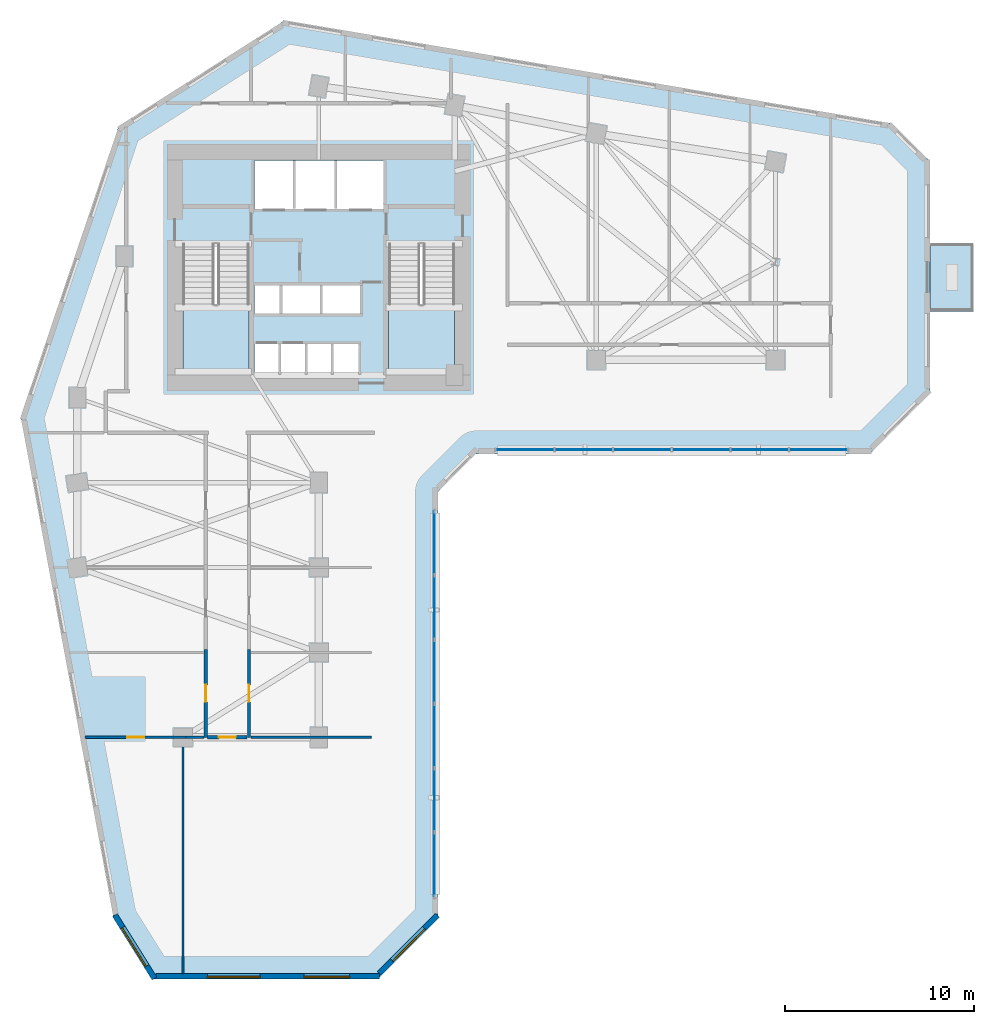
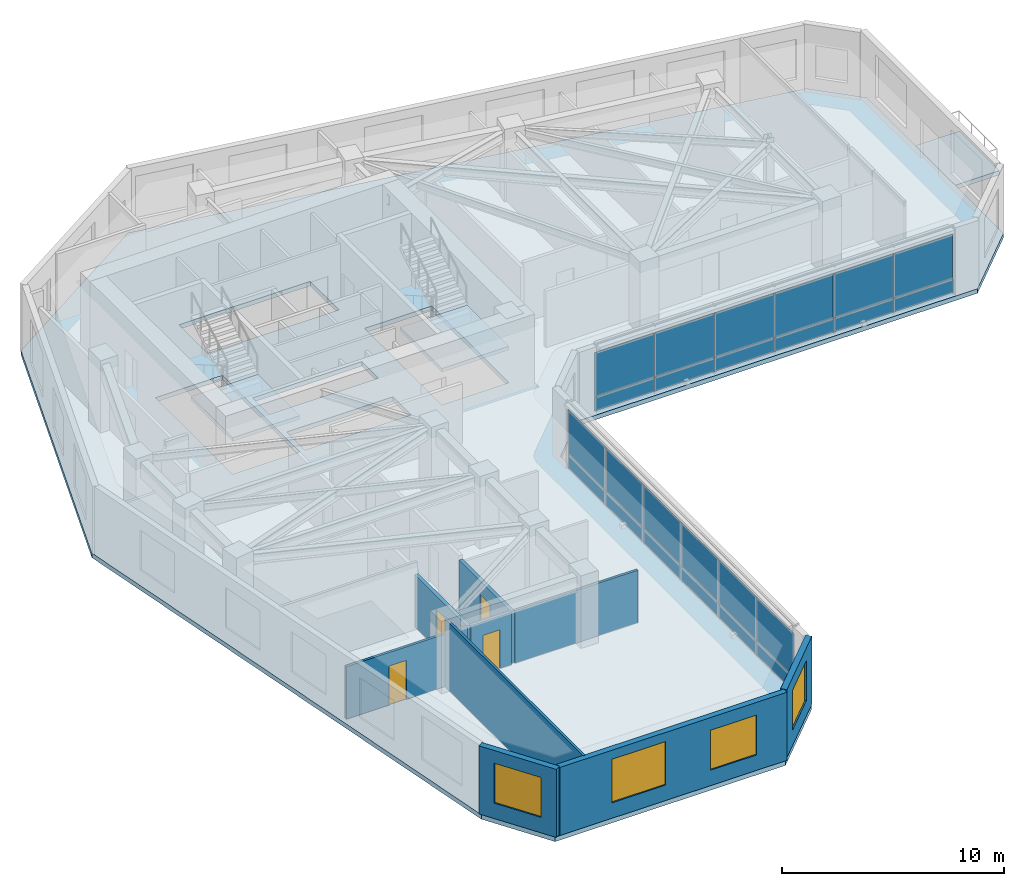
# One storey, part 4 of 11: 24 plates, 10 walls, 4 doors, 4 slabs, 4 windows, 8 openings, 4 elements without a shape of their own.
"""IFC4 building model written with IfcOpenShell, lengths in metres."""

from ifc_helpers import new_model, si_unit, direction, frame, frame_2d, origin, place, context, subcontext, project, spatial, polyline, rectangle, outline, extrude, source, transform, mapped, material, layer, layer_set, type_object, element, fill, aggregate, save


model = new_model("IFC4")

# Units and contexts
model_context = context("Model", 3, precision=1e-05, world=origin(), true_north=direction((0.0, 1.0)))
body_context = subcontext(model_context, "Body", "Model", "MODEL_VIEW")
ifc_project = project(units=[si_unit("LENGTHUNIT", "METRE"), si_unit("AREAUNIT", "SQUARE_METRE"), si_unit("VOLUMEUNIT", "CUBIC_METRE"), si_unit("PLANEANGLEUNIT", "RADIAN"), si_unit("MASSUNIT", "GRAM", prefix="KILO")], contexts=[model_context])

# Site, building, storey
site_placement = place(None, origin())
site = spatial("IfcSite", under=ifc_project, at=site_placement, CompositionType="ELEMENT")
building_placement = place(site_placement, origin())
building = spatial("IfcBuilding", under=site, at=building_placement, Name="Calvemar Wedge Station Tower", CompositionType="ELEMENT")
storey_placement = place(building_placement, frame((0.0, 0.0, 75.0)))
storey = spatial("IfcBuildingStorey", under=building, at=storey_placement, Name="L18", CompositionType="ELEMENT", Elevation=75.0)

# Curtain wall, plates
ifc_material_1 = material(Name="Anodised aluminium 6063-T6", Category="aluminium")
curtain_wall_type = type_object("IfcCurtainWallType", Name="CW1", PredefinedType="NOTDEFINED", material=ifc_material_1)
curtain_wall_1_placement = place(storey_placement, origin())
curtain_wall_1 = element("IfcCurtainWall", 1, at=curtain_wall_1_placement, inside=storey, type_object=curtain_wall_type, Name="Storey L18 CW1 Recessed Unitised Curtain Wall 4", PredefinedType="NOTDEFINED")
ifc_material_2 = material(Name="Low-E laminated insulated glass", Category="glass")
ifc_layer_1 = layer(ifc_material_2, 0.028076171875)
ifc_layer_set_1 = layer_set([ifc_layer_1], Name="Low-E laminated insulated glass")
plate_type_1 = type_object("IfcPlateType", Name="CW1-GLZ", PredefinedType="CURTAIN_PANEL", material=ifc_layer_set_1)
plate_1_placement = place(storey_placement, frame((29.91796875, 6.580078125, 0.8701171875), z_axis=(0.0, 0.0, 1.0), x_axis=(0.0, 1.0, 0.0)))
plate_1 = element("IfcPlate", 2, at=plate_1_placement, type_object=plate_type_1, Name="CW1 vision glass panel 1", PredefinedType="CURTAIN_PANEL", context=body_context, shape_type="SweptSolid", body=[
    extrude(rectangle(XDim=3.36865234375, YDim=0.028076171875, at=frame_2d((1.684326171875, 0.0))), origin(), (0.0, 0.0, 1.0), 2.409912109375),
])
plate_2_placement = place(storey_placement, frame((29.91796875, 9.98486328125, 0.8701171875), z_axis=(0.0, 0.0, 1.0), x_axis=(0.0, 1.0, 0.0)))
plate_2 = element("IfcPlate", 3, at=plate_2_placement, type_object=plate_type_1, Name="CW1 vision glass panel 2", PredefinedType="CURTAIN_PANEL", context=body_context, shape_type="SweptSolid", body=[
    extrude(rectangle(XDim=3.36865234375, YDim=0.028076171875, at=frame_2d((1.684326171875, 0.0))), origin(), (0.0, 0.0, 1.0), 2.409912109375),
])
plate_3_placement = place(storey_placement, frame((29.91796875, 13.389404296875, 0.8701171875), z_axis=(0.0, 0.0, 1.0), x_axis=(0.0, 1.0, 0.0)))
plate_3 = element("IfcPlate", 4, at=plate_3_placement, type_object=plate_type_1, Name="CW1 vision glass panel 3", PredefinedType="CURTAIN_PANEL", context=body_context, shape_type="SweptSolid", body=[
    extrude(rectangle(XDim=3.36865234375, YDim=0.028076171875, at=frame_2d((1.684326171875, 0.0))), origin(), (0.0, 0.0, 1.0), 2.409912109375),
])
plate_4_placement = place(storey_placement, frame((29.91796875, 16.794189453125, 0.8701171875), z_axis=(0.0, 0.0, 1.0), x_axis=(0.0, 1.0, 0.0)))
plate_4 = element("IfcPlate", 5, at=plate_4_placement, type_object=plate_type_1, Name="CW1 vision glass panel 4", PredefinedType="CURTAIN_PANEL", context=body_context, shape_type="SweptSolid", body=[
    extrude(rectangle(XDim=3.36865234375, YDim=0.028076171875, at=frame_2d((1.684326171875, 0.0))), origin(), (0.0, 0.0, 1.0), 2.409912109375),
])
plate_5_placement = place(storey_placement, frame((29.91796875, 20.19873046875, 0.8701171875), z_axis=(0.0, 0.0, 1.0), x_axis=(0.0, 1.0, 0.0)))
plate_5 = element("IfcPlate", 6, at=plate_5_placement, type_object=plate_type_1, Name="CW1 vision glass panel 5", PredefinedType="CURTAIN_PANEL", context=body_context, shape_type="SweptSolid", body=[
    extrude(rectangle(XDim=3.36865234375, YDim=0.028076171875, at=frame_2d((1.684326171875, 0.0))), origin(), (0.0, 0.0, 1.0), 2.409912109375),
])
plate_6_placement = place(storey_placement, frame((29.91796875, 23.603515625, 0.8701171875), z_axis=(0.0, 0.0, 1.0), x_axis=(0.0, 1.0, 0.0)))
plate_6 = element("IfcPlate", 7, at=plate_6_placement, type_object=plate_type_1, Name="CW1 vision glass panel 6", PredefinedType="CURTAIN_PANEL", context=body_context, shape_type="SweptSolid", body=[
    extrude(rectangle(XDim=3.36865234375, YDim=0.028076171875, at=frame_2d((1.684326171875, 0.0))), origin(), (0.0, 0.0, 1.0), 2.409912109375),
])

curtain_wall_2_placement = place(storey_placement, origin())
curtain_wall_2 = element("IfcCurtainWall", 8, at=curtain_wall_2_placement, inside=storey, type_object=curtain_wall_type, Name="Storey L18 CW1 Recessed Unitised Curtain Wall 6", PredefinedType="NOTDEFINED")
plate_7_placement = place(storey_placement, frame((33.183837890625, 30.238037109375, 0.8701171875), z_axis=(0.0, 0.0, 1.0), x_axis=(1.0, 0.0, 0.0)))
plate_7 = element("IfcPlate", 9, at=plate_7_placement, type_object=plate_type_1, Name="CW1 vision glass panel 1", PredefinedType="CURTAIN_PANEL", context=body_context, shape_type="SweptSolid", body=[
    extrude(rectangle(XDim=3.076171875, YDim=0.028076171875, at=frame_2d((1.5380859375, 0.0))), origin(), (0.0, 0.0, 1.0), 2.409912109375),
])
plate_8_placement = place(storey_placement, frame((36.2958984375, 30.238037109375, 0.8701171875), z_axis=(0.0, 0.0, 1.0), x_axis=(1.0, 0.0, 0.0)))
plate_8 = element("IfcPlate", 10, at=plate_8_placement, type_object=plate_type_1, Name="CW1 vision glass panel 2", PredefinedType="CURTAIN_PANEL", context=body_context, shape_type="SweptSolid", body=[
    extrude(rectangle(XDim=3.075927734375, YDim=0.028076171875, at=frame_2d((1.5380859375, 0.0))), origin(), (0.0, 0.0, 1.0), 2.409912109375),
])
plate_9_placement = place(storey_placement, frame((39.407958984375, 30.238037109375, 0.8701171875), z_axis=(0.0, 0.0, 1.0), x_axis=(1.0, 0.0, 0.0)))
plate_9 = element("IfcPlate", 11, at=plate_9_placement, type_object=plate_type_1, Name="CW1 vision glass panel 3", PredefinedType="CURTAIN_PANEL", context=body_context, shape_type="SweptSolid", body=[
    extrude(rectangle(XDim=3.075927734375, YDim=0.028076171875, at=frame_2d((1.5380859375, 0.0))), origin(), (0.0, 0.0, 1.0), 2.409912109375),
])
plate_10_placement = place(storey_placement, frame((42.52001953125, 30.238037109375, 0.8701171875), z_axis=(0.0, 0.0, 1.0), x_axis=(1.0, 0.0, 0.0)))
plate_10 = element("IfcPlate", 12, at=plate_10_placement, type_object=plate_type_1, Name="CW1 vision glass panel 4", PredefinedType="CURTAIN_PANEL", context=body_context, shape_type="SweptSolid", body=[
    extrude(rectangle(XDim=3.075927734375, YDim=0.028076171875, at=frame_2d((1.5380859375, 0.0))), origin(), (0.0, 0.0, 1.0), 2.409912109375),
])
plate_11_placement = place(storey_placement, frame((45.6318359375, 30.238037109375, 0.8701171875), z_axis=(0.0, 0.0, 1.0), x_axis=(1.0, 0.0, 0.0)))
plate_11 = element("IfcPlate", 13, at=plate_11_placement, type_object=plate_type_1, Name="CW1 vision glass panel 5", PredefinedType="CURTAIN_PANEL", context=body_context, shape_type="SweptSolid", body=[
    extrude(rectangle(XDim=3.076171875, YDim=0.028076171875, at=frame_2d((1.5380859375, 0.0))), origin(), (0.0, 0.0, 1.0), 2.409912109375),
])
plate_12_placement = place(storey_placement, frame((48.743896484375, 30.238037109375, 0.8701171875), z_axis=(0.0, 0.0, 1.0), x_axis=(1.0, 0.0, 0.0)))
plate_12 = element("IfcPlate", 14, at=plate_12_placement, type_object=plate_type_1, Name="CW1 vision glass panel 6", PredefinedType="CURTAIN_PANEL", context=body_context, shape_type="SweptSolid", body=[
    extrude(rectangle(XDim=3.075927734375, YDim=0.028076171875, at=frame_2d((1.5380859375, 0.0))), origin(), (0.0, 0.0, 1.0), 2.409912109375),
])

# Plate
ifc_material_3 = material(Name="Oxidized bronze aluminium spandrel panel 5005-H24", Category="aluminium")
ifc_layer_2 = layer(ifc_material_3, 0.0400390625)
ifc_layer_set_2 = layer_set([ifc_layer_2], Name="Oxidized bronze aluminium spandrel panel 5005-H24")
plate_type_2 = type_object("IfcPlateType", Name="CW1-SPD", PredefinedType="SHEET", material=ifc_layer_set_2)
plate_13_placement = place(storey_placement, frame((29.91796875, 6.580078125, 0.080078125), z_axis=(0.0, 0.0, 1.0), x_axis=(0.0, 1.0, 0.0)))
plate_13 = element("IfcPlate", 15, at=plate_13_placement, type_object=plate_type_2, Name="CW1 bronze spandrel panel 1", PredefinedType="SHEET", context=body_context, shape_type="SweptSolid", body=[
    extrude(rectangle(XDim=3.36865234375, YDim=0.0400390625, at=frame_2d((1.684326171875, 0.0))), origin(), (0.0, 0.0, 1.0), 0.75),
])

plate_14_placement = place(storey_placement, frame((29.91796875, 9.98486328125, 0.080078125), z_axis=(0.0, 0.0, 1.0), x_axis=(0.0, 1.0, 0.0)))
plate_14 = element("IfcPlate", 16, at=plate_14_placement, type_object=plate_type_2, Name="CW1 bronze spandrel panel 2", PredefinedType="SHEET", context=body_context, shape_type="SweptSolid", body=[
    extrude(rectangle(XDim=3.36865234375, YDim=0.0400390625, at=frame_2d((1.684326171875, 0.0))), origin(), (0.0, 0.0, 1.0), 0.75),
])

plate_15_placement = place(storey_placement, frame((29.91796875, 13.389404296875, 0.080078125), z_axis=(0.0, 0.0, 1.0), x_axis=(0.0, 1.0, 0.0)))
plate_15 = element("IfcPlate", 17, at=plate_15_placement, type_object=plate_type_2, Name="CW1 bronze spandrel panel 3", PredefinedType="SHEET", context=body_context, shape_type="SweptSolid", body=[
    extrude(rectangle(XDim=3.36865234375, YDim=0.0400390625, at=frame_2d((1.684326171875, 0.0))), origin(), (0.0, 0.0, 1.0), 0.75),
])

plate_16_placement = place(storey_placement, frame((29.91796875, 16.794189453125, 0.080078125), z_axis=(0.0, 0.0, 1.0), x_axis=(0.0, 1.0, 0.0)))
plate_16 = element("IfcPlate", 18, at=plate_16_placement, type_object=plate_type_2, Name="CW1 bronze spandrel panel 4", PredefinedType="SHEET", context=body_context, shape_type="SweptSolid", body=[
    extrude(rectangle(XDim=3.36865234375, YDim=0.0400390625, at=frame_2d((1.684326171875, 0.0))), origin(), (0.0, 0.0, 1.0), 0.75),
])

plate_17_placement = place(storey_placement, frame((29.91796875, 20.19873046875, 0.080078125), z_axis=(0.0, 0.0, 1.0), x_axis=(0.0, 1.0, 0.0)))
plate_17 = element("IfcPlate", 19, at=plate_17_placement, type_object=plate_type_2, Name="CW1 bronze spandrel panel 5", PredefinedType="SHEET", context=body_context, shape_type="SweptSolid", body=[
    extrude(rectangle(XDim=3.36865234375, YDim=0.0400390625, at=frame_2d((1.684326171875, 0.0))), origin(), (0.0, 0.0, 1.0), 0.75),
])

plate_18_placement = place(storey_placement, frame((29.91796875, 23.603515625, 0.080078125), z_axis=(0.0, 0.0, 1.0), x_axis=(0.0, 1.0, 0.0)))
plate_18 = element("IfcPlate", 20, at=plate_18_placement, type_object=plate_type_2, Name="CW1 bronze spandrel panel 6", PredefinedType="SHEET", context=body_context, shape_type="SweptSolid", body=[
    extrude(rectangle(XDim=3.36865234375, YDim=0.0400390625, at=frame_2d((1.684326171875, 0.0))), origin(), (0.0, 0.0, 1.0), 0.75),
])

aggregate(curtain_wall_1, [plate_13, plate_1, plate_14, plate_2, plate_15, plate_3, plate_16, plate_4, plate_17, plate_5, plate_18, plate_6])

plate_19_placement = place(storey_placement, frame((33.183837890625, 30.238037109375, 0.080078125), z_axis=(0.0, 0.0, 1.0), x_axis=(1.0, 0.0, 0.0)))
plate_19 = element("IfcPlate", 21, at=plate_19_placement, type_object=plate_type_2, Name="CW1 bronze spandrel panel 1", PredefinedType="SHEET", context=body_context, shape_type="SweptSolid", body=[
    extrude(rectangle(XDim=3.076171875, YDim=0.0400390625, at=frame_2d((1.5380859375, 0.0))), origin(), (0.0, 0.0, 1.0), 0.75),
])

plate_20_placement = place(storey_placement, frame((36.2958984375, 30.238037109375, 0.080078125), z_axis=(0.0, 0.0, 1.0), x_axis=(1.0, 0.0, 0.0)))
plate_20 = element("IfcPlate", 22, at=plate_20_placement, type_object=plate_type_2, Name="CW1 bronze spandrel panel 2", PredefinedType="SHEET", context=body_context, shape_type="SweptSolid", body=[
    extrude(rectangle(XDim=3.075927734375, YDim=0.0400390625, at=frame_2d((1.5380859375, 0.0))), origin(), (0.0, 0.0, 1.0), 0.75),
])

plate_21_placement = place(storey_placement, frame((39.407958984375, 30.238037109375, 0.080078125), z_axis=(0.0, 0.0, 1.0), x_axis=(1.0, 0.0, 0.0)))
plate_21 = element("IfcPlate", 23, at=plate_21_placement, type_object=plate_type_2, Name="CW1 bronze spandrel panel 3", PredefinedType="SHEET", context=body_context, shape_type="SweptSolid", body=[
    extrude(rectangle(XDim=3.075927734375, YDim=0.0400390625, at=frame_2d((1.5380859375, 0.0))), origin(), (0.0, 0.0, 1.0), 0.75),
])

plate_22_placement = place(storey_placement, frame((42.52001953125, 30.238037109375, 0.080078125), z_axis=(0.0, 0.0, 1.0), x_axis=(1.0, 0.0, 0.0)))
plate_22 = element("IfcPlate", 24, at=plate_22_placement, type_object=plate_type_2, Name="CW1 bronze spandrel panel 4", PredefinedType="SHEET", context=body_context, shape_type="SweptSolid", body=[
    extrude(rectangle(XDim=3.075927734375, YDim=0.0400390625, at=frame_2d((1.5380859375, 0.0))), origin(), (0.0, 0.0, 1.0), 0.75),
])

plate_23_placement = place(storey_placement, frame((45.6318359375, 30.238037109375, 0.080078125), z_axis=(0.0, 0.0, 1.0), x_axis=(1.0, 0.0, 0.0)))
plate_23 = element("IfcPlate", 25, at=plate_23_placement, type_object=plate_type_2, Name="CW1 bronze spandrel panel 5", PredefinedType="SHEET", context=body_context, shape_type="SweptSolid", body=[
    extrude(rectangle(XDim=3.076171875, YDim=0.0400390625, at=frame_2d((1.5380859375, 0.0))), origin(), (0.0, 0.0, 1.0), 0.75),
])

plate_24_placement = place(storey_placement, frame((48.743896484375, 30.238037109375, 0.080078125), z_axis=(0.0, 0.0, 1.0), x_axis=(1.0, 0.0, 0.0)))
plate_24 = element("IfcPlate", 26, at=plate_24_placement, type_object=plate_type_2, Name="CW1 bronze spandrel panel 6", PredefinedType="SHEET", context=body_context, shape_type="SweptSolid", body=[
    extrude(rectangle(XDim=3.075927734375, YDim=0.0400390625, at=frame_2d((1.5380859375, 0.0))), origin(), (0.0, 0.0, 1.0), 0.75),
])

aggregate(curtain_wall_2, [plate_19, plate_7, plate_20, plate_8, plate_21, plate_9, plate_22, plate_10, plate_23, plate_11, plate_24, plate_12])

# Stair, slab
ifc_material_4 = material(Name="Concrete C45", Category="concrete")
stair_type = type_object("IfcStairType", Name="ST-TYPE-4000", PredefinedType="HALF_TURN_STAIR", material=ifc_material_4)
stair_1_placement = place(storey_placement, origin())
stair_1 = element("IfcStair", 27, at=stair_1_placement, inside=storey, type_object=stair_type, Name="L18 Pressurized Core Exit Stair ST-C1", PredefinedType="HALF_TURN_STAIR")
ifc_layer_3 = layer(ifc_material_4, 0.199951171875)
ifc_layer_set_3 = layer_set([ifc_layer_3], Name="Concrete C45")
slab_type_1 = type_object("IfcSlabType", Name="SL-STAIR-LND-200", PredefinedType="LANDING", material=ifc_layer_set_3)
slab_1_placement = place(storey_placement, frame((0.0, 0.0, 1.800048828125)))
slab_1 = element("IfcSlab", 28, at=slab_1_placement, type_object=slab_type_1, Name="ST-C1 landing 1", PredefinedType="LANDING", context=body_context, shape_type="SweptSolid", body=[
    extrude(outline(polyline([(16.60009765625, 37.9599609375), (16.60009765625, 34.199951171875), (20.10009765625, 34.199951171875), (20.10009765625, 37.9599609375), (16.60009765625, 37.9599609375)])), origin(), (0.0, 0.0, 1.0), 0.199951171875),
])
aggregate(stair_1, [slab_1])

stair_2_placement = place(storey_placement, origin())
stair_2 = element("IfcStair", 29, at=stair_2_placement, inside=storey, type_object=stair_type, Name="L18 Pressurized Core Exit Stair ST-C2", PredefinedType="HALF_TURN_STAIR")
slab_2_placement = place(storey_placement, frame((0.0, 0.0, 1.800048828125)))
slab_2 = element("IfcSlab", 30, at=slab_2_placement, type_object=slab_type_1, Name="ST-C2 landing 1", PredefinedType="LANDING", context=body_context, shape_type="SweptSolid", body=[
    extrude(outline(polyline([(27.5, 37.9599609375), (27.5, 34.199951171875), (31.0, 34.199951171875), (31.0, 37.9599609375), (27.5, 37.9599609375)])), origin(), (0.0, 0.0, 1.0), 0.199951171875),
])
aggregate(stair_2, [slab_2])

# Slabs
ifc_layer_4 = layer(ifc_material_4, 0.239990234375)
ifc_layer_set_4 = layer_set([ifc_layer_4], Name="Concrete C45")
slab_type_2 = type_object("IfcSlabType", Name="SL-TERR-240", PredefinedType="FLOOR", material=ifc_layer_set_4)
slab_3_placement = place(storey_placement, frame((0.0, 0.0, -0.239990234375)))
element("IfcSlab", 31, at=slab_3_placement, inside=storey, type_object=slab_type_2, Name="Storey L18 Planted Spiral Terrace Slab", PredefinedType="FLOOR", context=body_context, shape_type="SweptSolid", body=[
    extrude(outline(polyline([(56.199951171875, 37.577880859375), (58.5, 37.577880859375), (58.5, 41.177978515625), (56.199951171875, 41.177978515625), (56.199951171875, 37.577880859375)])), origin(), (0.0, 0.0, 1.0), 0.239990234375),
])
ifc_material_5 = material(Name="Concrete C50", Category="concrete")
ifc_layer_5 = layer(ifc_material_5, 0.25)
ifc_layer_set_5 = layer_set([ifc_layer_5], Name="Concrete C50")
slab_type_3 = type_object("IfcSlabType", Name="SL-TYP-250", PredefinedType="FLOOR", material=ifc_layer_set_5)
slab_4_placement = place(storey_placement, frame((0.0, 0.0, -0.25)))
element("IfcSlab", 32, at=slab_4_placement, inside=storey, type_object=slab_type_3, Name="Storey L18 Structural Floor Slab", PredefinedType="FLOOR", context=body_context, shape_type="SweptSolid", body=[
    extrude(outline(polyline([(8.0, 32.0), (12.927978515625, 5.39990234375), (14.927978515625, 2.199951171875), (26.927978515625, 2.199951171875), (30.1279296875, 5.39990234375), (30.1279296875, 28.028076171875), (32.1279296875, 30.028076171875), (53.0, 30.028076171875), (56.199951171875, 33.22802734375), (56.199951171875, 45.528076171875), (54.199951171875, 47.528076171875), (22.0, 53.0), (13.199951171875, 47.39990234375), (8.0, 32.0)]), holes=[polyline([(21.739990234375, 35.85009765625), (21.72998046875, 35.85009765625), (20.3798828125, 35.85009765625), (20.3798828125, 34.219970703125), (21.72998046875, 34.219970703125), (21.739990234375, 34.219970703125), (23.1201171875, 34.219970703125), (23.1298828125, 34.219970703125), (24.510009765625, 34.219970703125), (24.52001953125, 34.219970703125), (25.909912109375, 34.219970703125), (25.909912109375, 35.85009765625), (24.52001953125, 35.85009765625), (24.510009765625, 35.85009765625), (23.1298828125, 35.85009765625), (23.1201171875, 35.85009765625), (21.739990234375, 35.85009765625)]), polyline([(16.60009765625, 41.14990234375), (16.60009765625, 34.199951171875), (20.10009765625, 34.199951171875), (20.10009765625, 41.14990234375), (16.60009765625, 41.14990234375)]), polyline([(27.5, 34.199951171875), (31.0, 34.199951171875), (31.0, 41.14990234375), (27.5, 41.14990234375), (27.5, 34.199951171875)]), polyline([(21.7900390625, 37.449951171875), (21.800048828125, 37.449951171875), (23.929931640625, 37.449951171875), (23.93994140625, 37.449951171875), (26.080078125, 37.449951171875), (26.080078125, 38.949951171875), (23.93994140625, 38.949951171875), (23.929931640625, 38.949951171875), (21.800048828125, 38.949951171875), (21.7900390625, 38.949951171875), (20.3798828125, 38.949951171875), (20.3798828125, 37.449951171875), (21.7900390625, 37.449951171875)]), polyline([(20.3798828125, 43.0), (27.219970703125, 43.0), (27.219970703125, 45.580078125), (20.3798828125, 45.580078125), (20.3798828125, 43.0)])]), origin(), (0.0, 0.0, 1.0), 0.25),
])

# Wall, opening, door
ifc_material_6 = material(Name="Double-stud fire-rated corridor partition")
ifc_layer_6 = layer(ifc_material_6, 0.179931640625)
ifc_layer_set_6 = layer_set([ifc_layer_6], Name="Double-stud fire-rated corridor partition")
wall_type_1 = type_object("IfcWallType", Name="W-CORR-180", PredefinedType="PARTITIONING", material=ifc_layer_set_6)
wall_1_placement = place(storey_placement, frame((17.800048828125, 15.0, 0.0), z_axis=(0.0, 0.0, 1.0), x_axis=(0.0, 1.0, 0.0)))
wall_1 = element("IfcWall", 33, at=wall_1_placement, inside=storey, type_object=wall_type_1, Name="Storey L18 Interior Partition WL-L18-029", PredefinedType="PARTITIONING", context=body_context, shape_type="SweptSolid", body=[
    extrude(rectangle(XDim=4.659912109375, YDim=0.179931640625, at=frame_2d((2.330078125, 0.0))), origin(), (0.0, 0.0, 1.0), 2.89208984375),
])
shared_shape_1 = source(origin(), body_context, "Body", "SweptSolid", [
    extrude(rectangle(XDim=0.89990234375, YDim=2.14990234375, at=frame_2d((0.449951171875, 1.074951171875))), frame((0.0, 0.10009765625, 0.0), z_axis=(0.0, -1.0, 0.0), x_axis=(1.0, 0.0, 0.0)), (0.0, 0.0, 1.0), 0.199951171875),
])
opening_1_placement = place(wall_1_placement, frame((1.8798828125, 0.0, 0.0)))
opening_1 = element("IfcOpeningElement", 34, at=opening_1_placement, cuts=wall_1, Name="Opening D-01", PredefinedType="OPENING", context=body_context, shape_type="MappedRepresentation", body=[
    mapped(shared_shape_1, transform((0.0, 0.0, 0.0), scale=1.0)),
])
ifc_material_7 = material(Name="Architectural hardwood acoustic swing door", Category="wood")
door_type = type_object("IfcDoorType", Name="DR-INT-900", OperationType="NOTDEFINED", PredefinedType="DOOR", material=ifc_material_7)
shared_shape_2 = source(origin(), body_context, "Body", "SweptSolid", [
    extrude(rectangle(XDim=0.89990234375, YDim=2.14990234375, at=frame_2d((0.449951171875, 1.074951171875))), frame((0.0, 0.02490234375, 0.0), z_axis=(0.0, -1.0, 0.0), x_axis=(1.0, 0.0, 0.0)), (0.0, 0.0, 1.0), 0.050048828125),
])
door_1_placement = place(opening_1_placement, origin())
door_1 = element("IfcDoor", 35, at=door_1_placement, inside=storey, type_object=door_type, Name="L18 Office Door", OperationType="SINGLE_SWING_RIGHT", OverallHeight=2.14990234375, OverallWidth=0.89990234375, PredefinedType="DOOR", context=body_context, shape_type="MappedRepresentation", body=[
    mapped(shared_shape_2, transform((0.0, 0.0, 0.0), scale=1.0)),
])
fill(opening_1, door_1)

wall_2_placement = place(storey_placement, frame((20.10009765625, 19.659912109375, 0.0), z_axis=(0.0, 0.0, 1.0), x_axis=(0.0, -1.0, 0.0)))
wall_2 = element("IfcWall", 36, at=wall_2_placement, inside=storey, type_object=wall_type_1, Name="Storey L18 Interior Partition WL-L18-030", PredefinedType="PARTITIONING", context=body_context, shape_type="SweptSolid", body=[
    extrude(rectangle(XDim=4.659912109375, YDim=0.179931640625, at=frame_2d((2.330078125, 0.0))), origin(), (0.0, 0.0, 1.0), 2.89208984375),
])
opening_2_placement = place(wall_2_placement, frame((1.8798828125, 0.0, 0.0)))
opening_2 = element("IfcOpeningElement", 37, at=opening_2_placement, cuts=wall_2, Name="Opening D-01", PredefinedType="OPENING", context=body_context, shape_type="MappedRepresentation", body=[
    mapped(shared_shape_1, transform((0.0, 0.0, 0.0), scale=1.0)),
])
door_2_placement = place(opening_2_placement, origin())
door_2 = element("IfcDoor", 38, at=door_2_placement, inside=storey, type_object=door_type, Name="L18 Office Door", OperationType="SINGLE_SWING_LEFT", OverallHeight=2.14990234375, OverallWidth=0.89990234375, PredefinedType="DOOR", context=body_context, shape_type="MappedRepresentation", body=[
    mapped(shared_shape_2, transform((0.0, 0.0, 0.0), scale=1.0)),
])
fill(opening_2, door_2)

wall_3_placement = place(storey_placement, frame((20.006103515625, 15.0, 0.0), z_axis=(0.0, 0.0, 1.0), x_axis=(-1.0, 0.0, 0.0)))
wall_3 = element("IfcWall", 39, at=wall_3_placement, inside=storey, type_object=wall_type_1, Name="Storey L18 Interior Partition WL-L18-035", PredefinedType="PARTITIONING", context=body_context, shape_type="SweptSolid", body=[
    extrude(rectangle(XDim=2.112060546875, YDim=0.179931640625, at=frame_2d((1.05615234375, 0.0))), origin(), (0.0, 0.0, 1.0), 2.89208984375),
])
opening_3_placement = place(wall_3_placement, frame((0.60595703125, 0.0, 0.0)))
opening_3 = element("IfcOpeningElement", 40, at=opening_3_placement, cuts=wall_3, Name="Opening D-01", PredefinedType="OPENING", context=body_context, shape_type="MappedRepresentation", body=[
    mapped(shared_shape_1, transform((0.0, 0.0, 0.0), scale=1.0)),
])
door_3_placement = place(opening_3_placement, origin())
door_3 = element("IfcDoor", 41, at=door_3_placement, inside=storey, type_object=door_type, Name="L18 Meeting Room Door", OperationType="SINGLE_SWING_LEFT", OverallHeight=2.14990234375, OverallWidth=0.89990234375, PredefinedType="DOOR", context=body_context, shape_type="MappedRepresentation", body=[
    mapped(shared_shape_2, transform((0.0, 0.0, 0.0), scale=1.0)),
])
fill(opening_3, door_3)

# Wall, opening, window
ifc_material_8 = material(Name="Precast concrete C45", Category="concrete")
ifc_layer_7 = layer(ifc_material_8, 0.300048828125)
ifc_layer_set_7 = layer_set([ifc_layer_7], Name="Precast concrete C45")
wall_type_2 = type_object("IfcWallType", Name="W-EXT-GFRC-300", PredefinedType="SOLIDWALL", material=ifc_layer_set_7)
wall_4_placement = place(storey_placement, frame((12.99072265625, 5.58251953125, 0.0), z_axis=(0.0, 0.0, 1.0), x_axis=(0.530015557218, -0.847987918019, 0.0)))
wall_4 = element("IfcWall", 42, at=wall_4_placement, inside=storey, type_object=wall_type_2, Name="Storey L18 Bronze GFRC Exterior Wall 1", PredefinedType="SOLIDWALL", context=body_context, shape_type="SweptSolid", body=[
    extrude(rectangle(XDim=3.9619140625, YDim=0.300048828125, at=frame_2d((1.98095703125, 0.0))), origin(), (0.0, 0.0, 1.0), 3.75),
])
shared_shape_3 = source(origin(), body_context, "Body", "SweptSolid", [
    extrude(rectangle(XDim=2.39990234375, YDim=2.199951171875, at=frame_2d((1.199951171875, 1.10009765625))), frame((0.0, 0.16015625, 0.0), z_axis=(0.0, -1.0, 0.0), x_axis=(1.0, 0.0, 0.0)), (0.0, 0.0, 1.0), 0.320068359375),
])
opening_4_placement = place(wall_4_placement, frame((0.781005859375, 0.0, 0.85009765625)))
opening_4 = element("IfcOpeningElement", 43, at=opening_4_placement, cuts=wall_4, Name="Opening W1", PredefinedType="OPENING", context=body_context, shape_type="MappedRepresentation", body=[
    mapped(shared_shape_3, transform((0.0, 0.0, 0.0), scale=1.0)),
])
window_type_1 = type_object("IfcWindowType", Name="WIN-EXT-1", PartitioningType="SINGLE_PANEL", PredefinedType="WINDOW", material=ifc_material_2)
shared_shape_4 = source(origin(), body_context, "Body", "SweptSolid", [
    extrude(rectangle(XDim=2.39990234375, YDim=2.199951171875, at=frame_2d((1.199951171875, 1.10009765625))), frame((0.0, -0.014892578125, 0.0), z_axis=(0.0, -1.0, 0.0), x_axis=(1.0, 0.0, 0.0)), (0.0, 0.0, 1.0), 0.06005859375),
])
window_1_placement = place(opening_4_placement, origin())
window_1 = element("IfcWindow", 44, at=window_1_placement, inside=storey, type_object=window_type_1, Name="Storey L18 Recessed Window 1.1", OverallHeight=2.199951171875, OverallWidth=2.39990234375, PartitioningType="SINGLE_PANEL", PredefinedType="WINDOW", context=body_context, shape_type="MappedRepresentation", body=[
    mapped(shared_shape_4, transform((0.0, 0.0, 0.0), scale=1.0)),
])
fill(opening_4, window_1)

# Wall, openings, windows
wall_5_placement = place(storey_placement, frame((15.173828125, 2.35009765625, 0.0), z_axis=(0.0, 0.0, 1.0), x_axis=(1.0, 0.0, 0.0)))
wall_5 = element("IfcWall", 45, at=wall_5_placement, inside=storey, type_object=wall_type_2, Name="Storey L18 Bronze GFRC Exterior Wall 2", PredefinedType="SOLIDWALL", context=body_context, shape_type="SweptSolid", body=[
    extrude(rectangle(XDim=11.842041015625, YDim=0.300048828125, at=frame_2d((5.9208984375, 0.0))), origin(), (0.0, 0.0, 1.0), 3.75),
])
shared_shape_5 = source(origin(), body_context, "Body", "SweptSolid", [
    extrude(rectangle(XDim=2.800048828125, YDim=2.39990234375, at=frame_2d((1.39990234375, 1.199951171875))), frame((0.0, 0.16015625, 0.0), z_axis=(0.0, -1.0, 0.0), x_axis=(1.0, 0.0, 0.0)), (0.0, 0.0, 1.0), 0.320068359375),
])
opening_5_placement = place(wall_5_placement, frame((2.715087890625, 0.0, 0.85009765625)))
opening_5 = element("IfcOpeningElement", 46, at=opening_5_placement, cuts=wall_5, Name="Opening W6", PredefinedType="OPENING", context=body_context, shape_type="MappedRepresentation", body=[
    mapped(shared_shape_5, transform((0.0, 0.0, 0.0), scale=1.0)),
])
opening_6_placement = place(wall_5_placement, frame((7.85302734375, 0.0, 0.85009765625)))
opening_6 = element("IfcOpeningElement", 47, at=opening_6_placement, cuts=wall_5, Name="Opening W1", PredefinedType="OPENING", context=body_context, shape_type="MappedRepresentation", body=[
    mapped(shared_shape_3, transform((0.0, 0.0, 0.0), scale=1.0)),
])
window_type_2 = type_object("IfcWindowType", Name="WIN-EXT-6", PartitioningType="SINGLE_PANEL", PredefinedType="WINDOW", material=ifc_material_2)
shared_shape_6 = source(origin(), body_context, "Body", "SweptSolid", [
    extrude(rectangle(XDim=2.800048828125, YDim=2.39990234375, at=frame_2d((1.39990234375, 1.199951171875))), frame((0.0, -0.014892578125, 0.0), z_axis=(0.0, -1.0, 0.0), x_axis=(1.0, 0.0, 0.0)), (0.0, 0.0, 1.0), 0.06005859375),
])
window_2_placement = place(opening_5_placement, origin())
window_2 = element("IfcWindow", 48, at=window_2_placement, inside=storey, type_object=window_type_2, Name="Storey L18 Recessed Window 2.1", OverallHeight=2.39990234375, OverallWidth=2.800048828125, PartitioningType="SINGLE_PANEL", PredefinedType="WINDOW", context=body_context, shape_type="MappedRepresentation", body=[
    mapped(shared_shape_6, transform((0.0, 0.0, 0.0), scale=1.0)),
])
fill(opening_5, window_2)
window_3_placement = place(opening_6_placement, origin())
window_3 = element("IfcWindow", 49, at=window_3_placement, inside=storey, type_object=window_type_1, Name="Storey L18 Recessed Window 2.2", OverallHeight=2.199951171875, OverallWidth=2.39990234375, PartitioningType="SINGLE_PANEL", PredefinedType="WINDOW", context=body_context, shape_type="MappedRepresentation", body=[
    mapped(shared_shape_4, transform((0.0, 0.0, 0.0), scale=1.0)),
])
fill(opening_6, window_3)

# Wall, opening, window
wall_6_placement = place(storey_placement, frame((27.00390625, 2.488037109375, 0.0), z_axis=(0.0, 0.0, 1.0), x_axis=(0.707106781187, 0.707106781187, 0.0)))
wall_6 = element("IfcWall", 50, at=wall_6_placement, inside=storey, type_object=wall_type_2, Name="Storey L18 Bronze GFRC Exterior Wall 3", PredefinedType="SOLIDWALL", context=body_context, shape_type="SweptSolid", body=[
    extrude(rectangle(XDim=4.35595703125, YDim=0.300048828125, at=frame_2d((2.177978515625, 0.0))), origin(), (0.0, 0.0, 1.0), 3.75),
])
opening_7_placement = place(wall_6_placement, frame((0.97802734375, 0.0, 0.85009765625)))
opening_7 = element("IfcOpeningElement", 51, at=opening_7_placement, cuts=wall_6, Name="Opening W1", PredefinedType="OPENING", context=body_context, shape_type="MappedRepresentation", body=[
    mapped(shared_shape_3, transform((0.0, 0.0, 0.0), scale=1.0)),
])
window_4_placement = place(opening_7_placement, origin())
window_4 = element("IfcWindow", 52, at=window_4_placement, inside=storey, type_object=window_type_1, Name="Storey L18 Recessed Window 3.1", OverallHeight=2.199951171875, OverallWidth=2.39990234375, PartitioningType="SINGLE_PANEL", PredefinedType="WINDOW", context=body_context, shape_type="MappedRepresentation", body=[
    mapped(shared_shape_4, transform((0.0, 0.0, 0.0), scale=1.0)),
])
fill(opening_7, window_4)

# Wall, opening, door
ifc_material_9 = material(Name="Insulated acoustic gypsum stud partition")
ifc_layer_8 = layer(ifc_material_9, 0.125)
ifc_layer_set_8 = layer_set([ifc_layer_8], Name="Insulated acoustic gypsum stud partition")
wall_type_3 = type_object("IfcWallType", Name="W-PART-125", PredefinedType="PARTITIONING", material=ifc_layer_set_8)
wall_7_placement = place(storey_placement, frame((16.760009765625, 15.0, 0.0), z_axis=(0.0, 0.0, 1.0), x_axis=(-1.0, 0.0, 0.0)))
wall_7 = element("IfcWall", 53, at=wall_7_placement, inside=storey, type_object=wall_type_3, Name="Storey L18 Interior Partition WL-L18-037", PredefinedType="PARTITIONING", context=body_context, shape_type="SweptSolid", body=[
    extrude(rectangle(XDim=5.341064453125, YDim=0.125, at=frame_2d((2.67041015625, 0.0))), origin(), (0.0, 0.0, 1.0), 2.89208984375),
])
shared_shape_7 = source(origin(), body_context, "Body", "SweptSolid", [
    extrude(rectangle(XDim=0.89990234375, YDim=2.14990234375, at=frame_2d((0.449951171875, 1.074951171875))), frame((0.0, 0.072509765625, 0.0), z_axis=(0.0, -1.0, 0.0), x_axis=(1.0, 0.0, 0.0)), (0.0, 0.0, 1.0), 0.14501953125),
])
opening_8_placement = place(wall_7_placement, frame((2.220458984375, 0.0, 0.0)))
opening_8 = element("IfcOpeningElement", 54, at=opening_8_placement, cuts=wall_7, Name="Opening D-01", PredefinedType="OPENING", context=body_context, shape_type="MappedRepresentation", body=[
    mapped(shared_shape_7, transform((0.0, 0.0, 0.0), scale=1.0)),
])
door_4_placement = place(opening_8_placement, origin())
door_4 = element("IfcDoor", 55, at=door_4_placement, inside=storey, type_object=door_type, Name="L18 Office Door", OperationType="SINGLE_SWING_RIGHT", OverallHeight=2.14990234375, OverallWidth=0.89990234375, PredefinedType="DOOR", context=body_context, shape_type="MappedRepresentation", body=[
    mapped(shared_shape_2, transform((0.0, 0.0, 0.0), scale=1.0)),
])
fill(opening_8, door_4)

# Walls
wall_8_placement = place(storey_placement, frame((17.7060546875, 15.0, 0.0), z_axis=(0.0, 0.0, 1.0), x_axis=(-1.0, 0.0, 0.0)))
element("IfcWall", 56, at=wall_8_placement, inside=storey, type_object=wall_type_3, Name="Storey L18 Interior Partition WL-L18-038", PredefinedType="PARTITIONING", context=body_context, shape_type="SweptSolid", body=[
    extrude(rectangle(XDim=0.944091796875, YDim=0.125, at=frame_2d((0.47216796875, 0.0))), origin(), (0.0, 0.0, 1.0), 2.89208984375),
])
wall_9_placement = place(storey_placement, frame((26.60009765625, 15.0, 0.0), z_axis=(0.0, 0.0, 1.0), x_axis=(-1.0, 0.0, 0.0)))
element("IfcWall", 57, at=wall_9_placement, inside=storey, type_object=wall_type_3, Name="Storey L18 Interior Partition WL-L18-040", PredefinedType="PARTITIONING", context=body_context, shape_type="SweptSolid", body=[
    extrude(rectangle(XDim=6.406005859375, YDim=0.125, at=frame_2d((3.203125, 0.0))), origin(), (0.0, 0.0, 1.0), 2.89208984375),
])
wall_10_placement = place(storey_placement, frame((16.60009765625, 14.93359375, 0.0), z_axis=(0.0, 0.0, 1.0), x_axis=(0.0, -1.0, 0.0)))
element("IfcWall", 58, at=wall_10_placement, inside=storey, type_object=wall_type_3, Name="Storey L18 Interior Partition WL-L18-043", PredefinedType="PARTITIONING", context=body_context, shape_type="SweptSolid", body=[
    extrude(rectangle(XDim=12.468505859375, YDim=0.125, at=frame_2d((6.234375, 0.0))), origin(), (0.0, 0.0, 1.0), 3.75),
])

save(model, "model.ifc")
